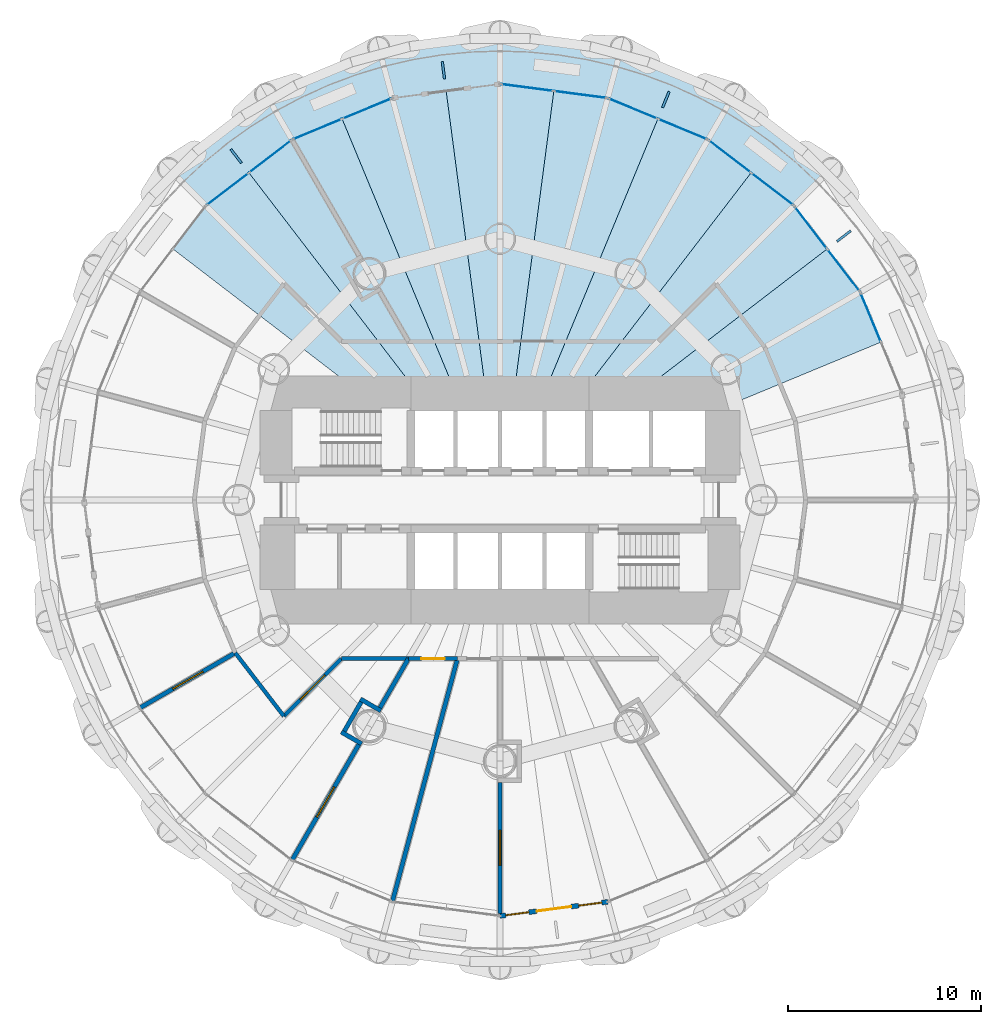
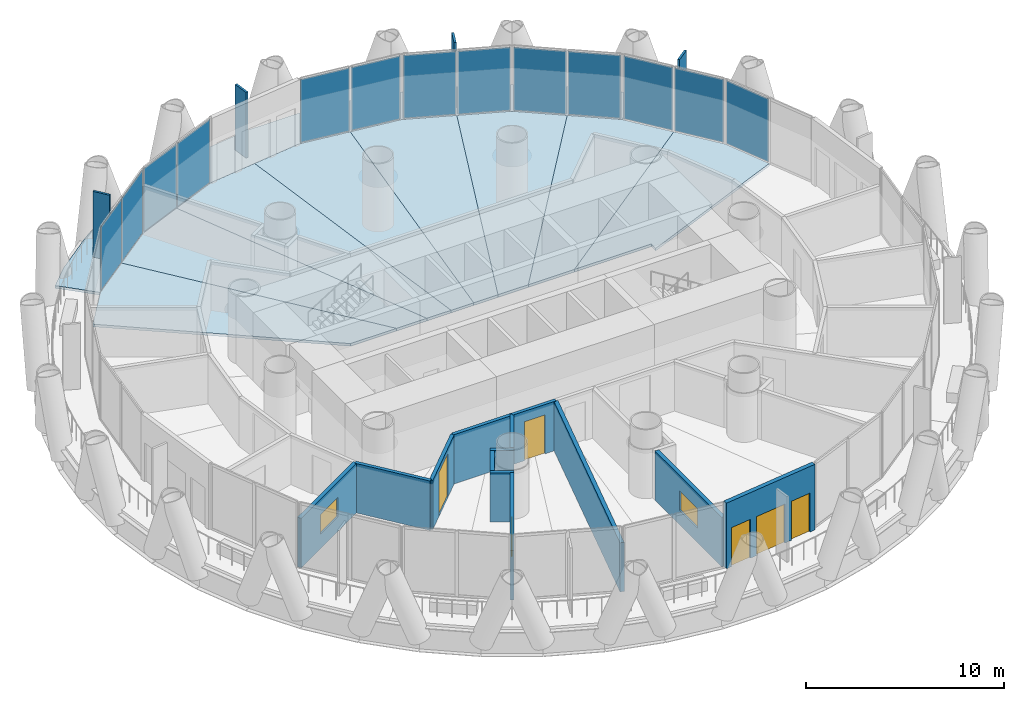
# One storey, part 9 of 16: 17 plates, 13 walls, 9 slabs, 5 windows, 3 doors, 8 openings, 7 elements without a shape of their own.
"""IFC4 building model written with IfcOpenShell, lengths in metres."""

import ifcopenshell
import ifcopenshell.guid

model = None  # the IFC model being written
_history = None  # IfcOwnerHistory: only IFC2X3 demands one
_inside = {}  # id of a spatial element -> (the spatial element, [elements in it])
_under = {}  # id of a project, library or spatial element -> (it, [spatial elements below it])
_declared = {}  # id of a project -> (the project, [libraries it declares])
_typed = {}  # id of a type object -> (the type object, [elements of that type])
_made_of = {}  # id of a material, layer set ... -> (it, [elements and type objects made of it])


def new_model(schema):
    """Start an empty IFC model of exactly this schema.

    Asked for "IFC4X3", IfcOpenShell would pick the latest addendum, in which some entities
    have other attributes; the version numbers below select the first issue.
    IFC2X3 requires an IfcOwnerHistory on every rooted entity: one is made here for all.
    """
    global model, _history
    if schema == "IFC4X3":
        model = ifcopenshell.file(schema_version=(4, 3, 0, 0))
    else:
        model = ifcopenshell.file(schema=schema)
    _inside.clear()
    _under.clear()
    _declared.clear()
    _typed.clear()
    _made_of.clear()
    _history = None
    if model.schema == "IFC2X3":
        org = make("IfcOrganization", Name="unknown")
        user = make(
            "IfcPersonAndOrganization",
            ThePerson=make("IfcPerson", FamilyName="unknown"),
            TheOrganization=org,
        )
        app = make(
            "IfcApplication",
            ApplicationDeveloper=org,
            Version="unknown",
            ApplicationFullName="unknown",
            ApplicationIdentifier="unknown",
        )
        _history = make(
            "IfcOwnerHistory",
            OwningUser=user,
            OwningApplication=app,
            ChangeAction="ADDED",
            CreationDate=0,
        )
    return model


def make(cls, **values):
    """One entity of the class cls with the attributes given. An attribute that is None is left unset."""
    return model.create_entity(
        cls, **{name: value for name, value in values.items() if value is not None}
    )


def rooted(cls, **values):
    """An entity with a GlobalId (a new one), such as an element, a storey or a relation."""
    return make(cls, GlobalId=ifcopenshell.guid.new(), OwnerHistory=_history, **values)


def si_unit(unit_type, name, prefix=None):
    """IfcSIUnit, for example si_unit("LENGTHUNIT", "METRE", prefix="MILLI")."""
    return make("IfcSIUnit", UnitType=unit_type, Prefix=prefix, Name=name)


def assignment(units):
    """IfcUnitAssignment: the units of a project."""
    return None if units is None else make("IfcUnitAssignment", Units=units)


def point(xyz):
    """IfcCartesianPoint."""
    return None if xyz is None else make("IfcCartesianPoint", Coordinates=xyz)


def direction(xyz):
    """IfcDirection."""
    return None if xyz is None else make("IfcDirection", DirectionRatios=xyz)


def frame(location, z_axis=None, x_axis=None):
    """IfcAxis2Placement3D, a coordinate frame: its origin and axes. An axis left out is left unset."""
    return make(
        "IfcAxis2Placement3D",
        Location=point(location),
        Axis=direction(z_axis),
        RefDirection=direction(x_axis),
    )


def frame_2d(location, x_axis=None):
    """IfcAxis2Placement2D, a coordinate frame in the plane: its origin and x axis."""
    return make(
        "IfcAxis2Placement2D", Location=point(location), RefDirection=direction(x_axis)
    )


def origin():
    """The frame at (0, 0, 0) with its axes left unset."""
    return frame((0.0, 0.0, 0.0))


def origin_2d():
    """The frame at (0, 0) in the plane with its x axis left unset."""
    return frame_2d((0.0, 0.0))


def place(relative_to, where):
    """IfcLocalPlacement: puts the frame where relative to a parent placement (None: the world)."""
    return make(
        "IfcLocalPlacement", PlacementRelTo=relative_to, RelativePlacement=where
    )


def context(
    kind, dimensions, precision=None, world=None, true_north=None, identifier=None
):
    """IfcGeometricRepresentationContext, for example the 3D "Model" context."""
    return make(
        "IfcGeometricRepresentationContext",
        ContextIdentifier=identifier,
        ContextType=kind,
        CoordinateSpaceDimension=dimensions,
        Precision=precision,
        WorldCoordinateSystem=world,
        TrueNorth=true_north,
    )


def subcontext(parent, identifier, kind, view, scale=None):
    """IfcGeometricRepresentationSubContext, for example "Body" below "Model"."""
    return make(
        "IfcGeometricRepresentationSubContext",
        ContextIdentifier=identifier,
        ContextType=kind,
        ParentContext=parent,
        TargetScale=scale,
        TargetView=view,
    )


def project(units=None, contexts=None):
    """IfcProject with its units and contexts."""
    return rooted(
        "IfcProject",
        Name="project",
        RepresentationContexts=contexts,
        UnitsInContext=assignment(units),
    )


def spatial(cls, under=None, at=None, **own):
    """A site, building, storey or space (cls), placed at a placement, below another one or the project."""
    s = rooted(cls, ObjectPlacement=at, **own)
    if under is not None:
        _under.setdefault(under.id(), (under, []))[1].append(s)
    return s


def polyline(points):
    """IfcPolyline through the points."""
    return make("IfcPolyline", Points=[point(p) for p in points])


def profile(cls, at=None, kind="AREA", **sizes):
    """A parametric profile (cls). Its sizes go by their IFC names, for example OverallWidth=200.0."""
    return make(cls, ProfileType=kind, Position=at, **sizes)


def rectangle(**sizes):
    """IfcRectangleProfileDef."""
    return profile("IfcRectangleProfileDef", **sizes)


def outline(outer, holes=None, kind="AREA"):
    """IfcArbitraryClosedProfileDef: a profile drawn as a closed curve; with holes, ...WithVoids."""
    if holes is None:
        return make("IfcArbitraryClosedProfileDef", ProfileType=kind, OuterCurve=outer)
    return make(
        "IfcArbitraryProfileDefWithVoids",
        ProfileType=kind,
        OuterCurve=outer,
        InnerCurves=holes,
    )


def extrude(swept, where, along, depth):
    """IfcExtrudedAreaSolid: the profile swept, set in the frame where, extruded along a direction by depth."""
    return make(
        "IfcExtrudedAreaSolid",
        SweptArea=swept,
        Position=where,
        ExtrudedDirection=direction(along),
        Depth=depth,
    )


def shape(context_of_items, identifier, shape_type, items):
    """IfcShapeRepresentation: the items that make up one representation, for example the "Body"."""
    return make(
        "IfcShapeRepresentation",
        ContextOfItems=context_of_items,
        RepresentationIdentifier=identifier,
        RepresentationType=shape_type,
        Items=items,
    )


def material(Name=None, Category=None):
    """IfcMaterial."""
    return make("IfcMaterial", Name=Name, Category=Category)


def layer(
    of_material, thickness, ventilated=None, Name=None, Category=None, Priority=None
):
    """IfcMaterialLayer: one layer of a wall or slab, of a material (None: an air gap)."""
    return make(
        "IfcMaterialLayer",
        Material=of_material,
        LayerThickness=thickness,
        IsVentilated=ventilated,
        Name=Name,
        Category=Category,
        Priority=Priority,
    )


def layer_set(layers, Name=None):
    """IfcMaterialLayerSet."""
    return make("IfcMaterialLayerSet", MaterialLayers=layers, LayerSetName=Name)


def made_of(thing, what):
    """Note that an element or type object is made of a material, layer set ...; save() writes the relation."""
    if what is not None:
        _made_of.setdefault(what.id(), (what, []))[1].append(thing)
    return thing


def type_object(cls, material=None, **own):
    """A type object (cls), such as IfcWallType, which elements share."""
    return made_of(rooted(cls, **own), material)


def element(
    cls,
    number,
    at=None,
    inside=None,
    cuts=None,
    type_object=None,
    material=None,
    context=None,
    identifier="Body",
    shape_type=None,
    held_by="IfcProductDefinitionShape",
    body=None,
    shapes=None,
    **own,
):
    """One element of the class cls, such as IfcWall. Its Tag is "e" and its number.

    at: its placement. inside: the storey or other place that contains it. cuts: it is an
    opening in that element (IfcRelVoidsElement). A single representation is given by context,
    identifier, shape_type and body (its items); several are given by shapes. held_by: the class
    of the entity that holds the representations. save() writes the other relations.
    """
    e = rooted(cls, Tag="e%d" % number, ObjectPlacement=at, **own)
    if body is not None:
        shapes = [shape(context, identifier, shape_type, body)]
    if shapes is not None:
        e.Representation = make(held_by, Representations=shapes)
    if inside is not None:
        _inside.setdefault(inside.id(), (inside, []))[1].append(e)
    if cuts is not None:
        rooted(
            "IfcRelVoidsElement", RelatingBuildingElement=cuts, RelatedOpeningElement=e
        )
    if type_object is not None:
        _typed.setdefault(type_object.id(), (type_object, []))[1].append(e)
    return made_of(e, material)


def fill(opening, filler):
    """IfcRelFillsElement: the door or window that sits in an opening."""
    return rooted(
        "IfcRelFillsElement",
        RelatingOpeningElement=opening,
        RelatedBuildingElement=filler,
    )


def aggregate(whole, parts):
    """IfcRelAggregates: a whole, such as a stair, and the parts it consists of."""
    return rooted("IfcRelAggregates", RelatingObject=whole, RelatedObjects=parts)


def save(model, path):
    """Write the relations noted so far, then the file.

    IfcRelAggregates (storeys below a building ...), IfcRelContainedInSpatialStructure (elements
    in a storey), IfcRelDefinesByType, IfcRelAssociatesMaterial and IfcRelDeclares: one each for
    every whole, place, type object, material and project.
    """
    for whole, parts in _under.values():
        aggregate(whole, parts)
    for where, things in _inside.values():
        rooted(
            "IfcRelContainedInSpatialStructure",
            RelatedElements=things,
            RelatingStructure=where,
        )
    for kind, things in _typed.values():
        rooted("IfcRelDefinesByType", RelatedObjects=things, RelatingType=kind)
    for what, things in _made_of.values():
        rooted("IfcRelAssociatesMaterial", RelatedObjects=things, RelatingMaterial=what)
    for by, libraries in _declared.values():
        rooted("IfcRelDeclares", RelatingContext=by, RelatedDefinitions=libraries)
    model.write(path)


model = new_model("IFC4")

# Units and contexts
model_context = context("Model", 3, precision=1e-05, world=origin(), true_north=direction((0.0, 1.0)))
body_context = subcontext(model_context, "Body", "Model", "MODEL_VIEW")
ifc_project = project(units=[si_unit("LENGTHUNIT", "METRE"), si_unit("AREAUNIT", "SQUARE_METRE"), si_unit("VOLUMEUNIT", "CUBIC_METRE"), si_unit("PLANEANGLEUNIT", "RADIAN"), si_unit("MASSUNIT", "GRAM", prefix="KILO")], contexts=[model_context])

# Site, building, storey
site_placement = place(None, origin())
site = spatial("IfcSite", under=ifc_project, at=site_placement, CompositionType="ELEMENT")
building_placement = place(site_placement, origin())
building = spatial("IfcBuilding", under=site, at=building_placement, Name="Qaws Media Tower", CompositionType="ELEMENT")
storey_placement = place(building_placement, frame((0.0, 0.0, 38.60009765625)))
storey = spatial("IfcBuildingStorey", under=building, at=storey_placement, Name="L07", CompositionType="ELEMENT", Elevation=38.60009765625)

# Slabs
ifc_material_1 = material(Name="Concrete C35/45", Category="concrete")
ifc_layer_1 = layer(ifc_material_1, 0.159912109375)
ifc_layer_set_1 = layer_set([ifc_layer_1], Name="Composite balcony slab 160")
slab_type_1 = type_object("IfcSlabType", Name="Composite balcony slab 160", PredefinedType="FLOOR", material=ifc_layer_set_1)
slab_1_placement = place(storey_placement, frame((0.0, 0.0, -0.16015625)))
element("IfcSlab", 1, at=slab_1_placement, inside=storey, type_object=slab_type_1, Name="S2 balcony slab L07 R04 to R10, movement joints on R04 and R10", PredefinedType="FLOOR", context=body_context, shape_type="SweptSolid", body=[
    extrude(outline(polyline([(44.24169921875, 67.968994140625), (46.721923828125, 69.8720703125), (49.42919921875, 71.435302734375), (52.317626953125, 72.631591796875), (55.33740234375, 73.44091796875), (58.43701171875, 73.848876953125), (61.56298828125, 73.848876953125), (64.66259765625, 73.44091796875), (67.682373046875, 72.631591796875), (70.57080078125, 71.435302734375), (73.278076171875, 69.8720703125), (75.75830078125, 67.968994140625), (76.86376953125, 66.86376953125), (75.202880859375, 65.202880859375), (70.75, 68.619384765625), (65.564697265625, 70.767333984375), (60.0, 71.5), (54.435302734375, 70.767333984375), (49.25, 68.619384765625), (44.797119140625, 65.202880859375), (43.13623046875, 66.86376953125), (44.24169921875, 67.968994140625)])), origin(), (0.0, 0.0, 1.0), 0.16015625),
])
ifc_material_2 = material(Name="Concrete C35/45", Category="concrete")
ifc_layer_2 = layer(ifc_material_2, 0.159912109375)
ifc_layer_set_2 = layer_set([ifc_layer_2], Name="Composite floor slab 160")
slab_type_2 = type_object("IfcSlabType", Name="Composite floor slab 160", PredefinedType="FLOOR", material=ifc_layer_set_2)
slab_2_placement = place(storey_placement, frame((0.0, 0.0, -0.16015625)))
element("IfcSlab", 2, at=slab_2_placement, inside=storey, type_object=slab_type_2, Name="S1 floor panel L07 on R03", PredefinedType="FLOOR", context=body_context, shape_type="SweptSolid", body=[
    extrude(outline(polyline([(78.619384765625, 60.75), (79.693603515625, 58.1572265625), (71.0, 54.556396484375), (71.0, 55.0), (66.51611328125, 55.0), (76.9111328125, 62.976318359375), (78.619384765625, 60.75)])), origin(), (0.0, 0.0, 1.0), 0.16015625),
])
slab_3_placement = place(storey_placement, frame((0.0, 0.0, -0.16015625)))
element("IfcSlab", 3, at=slab_3_placement, inside=storey, type_object=slab_type_2, Name="S1 floor panel L07 on R04", PredefinedType="FLOOR", context=body_context, shape_type="SweptSolid", body=[
    extrude(outline(polyline([(75.202880859375, 65.202880859375), (76.9111328125, 62.976318359375), (66.51611328125, 55.0), (63.836669921875, 55.0), (72.976318359375, 66.9111328125), (75.202880859375, 65.202880859375)])), origin(), (0.0, 0.0, 1.0), 0.16015625),
])
slab_4_placement = place(storey_placement, frame((0.0, 0.0, -0.16015625)))
element("IfcSlab", 4, at=slab_4_placement, inside=storey, type_object=slab_type_2, Name="S1 floor panel L07 on R05", PredefinedType="FLOOR", context=body_context, shape_type="SweptSolid", body=[
    extrude(outline(polyline([(70.75, 68.619384765625), (72.976318359375, 66.9111328125), (63.836669921875, 55.0), (62.071044921875, 55.0), (68.1572265625, 69.693603515625), (70.75, 68.619384765625)])), origin(), (0.0, 0.0, 1.0), 0.16015625),
])
slab_5_placement = place(storey_placement, frame((0.0, 0.0, -0.16015625)))
element("IfcSlab", 5, at=slab_5_placement, inside=storey, type_object=slab_type_2, Name="S1 floor panel L07 on R06", PredefinedType="FLOOR", context=body_context, shape_type="SweptSolid", body=[
    extrude(outline(polyline([(65.564697265625, 70.767333984375), (68.1572265625, 69.693603515625), (62.071044921875, 55.0), (60.658203125, 55.0), (62.7822265625, 71.1337890625), (65.564697265625, 70.767333984375)])), origin(), (0.0, 0.0, 1.0), 0.16015625),
])
slab_6_placement = place(storey_placement, frame((0.0, 0.0, -0.16015625)))
element("IfcSlab", 6, at=slab_6_placement, inside=storey, type_object=slab_type_2, Name="S1 floor panel L07 on R07", PredefinedType="FLOOR", context=body_context, shape_type="SweptSolid", body=[
    extrude(outline(polyline([(60.0, 71.5), (62.7822265625, 71.1337890625), (60.658203125, 55.0), (59.341796875, 55.0), (57.2177734375, 71.1337890625), (60.0, 71.5)])), origin(), (0.0, 0.0, 1.0), 0.16015625),
])
slab_7_placement = place(storey_placement, frame((0.0, 0.0, -0.16015625)))
element("IfcSlab", 7, at=slab_7_placement, inside=storey, type_object=slab_type_2, Name="S1 floor panel L07 on R08", PredefinedType="FLOOR", context=body_context, shape_type="SweptSolid", body=[
    extrude(outline(polyline([(54.435302734375, 70.767333984375), (57.2177734375, 71.1337890625), (59.341796875, 55.0), (57.928955078125, 55.0), (51.8427734375, 69.693603515625), (54.435302734375, 70.767333984375)])), origin(), (0.0, 0.0, 1.0), 0.16015625),
])
slab_8_placement = place(storey_placement, frame((0.0, 0.0, -0.16015625)))
element("IfcSlab", 8, at=slab_8_placement, inside=storey, type_object=slab_type_2, Name="S1 floor panel L07 on R09", PredefinedType="FLOOR", context=body_context, shape_type="SweptSolid", body=[
    extrude(outline(polyline([(49.25, 68.619384765625), (51.8427734375, 69.693603515625), (57.928955078125, 55.0), (56.163330078125, 55.0), (47.023681640625, 66.9111328125), (49.25, 68.619384765625)])), origin(), (0.0, 0.0, 1.0), 0.16015625),
])
slab_9_placement = place(storey_placement, frame((0.0, 0.0, -0.16015625)))
element("IfcSlab", 9, at=slab_9_placement, inside=storey, type_object=slab_type_2, Name="S1 floor panel L07 on R10", PredefinedType="FLOOR", context=body_context, shape_type="SweptSolid", body=[
    extrude(outline(polyline([(44.797119140625, 65.202880859375), (47.023681640625, 66.9111328125), (56.163330078125, 55.0), (53.48388671875, 55.0), (43.0888671875, 62.976318359375), (44.797119140625, 65.202880859375)])), origin(), (0.0, 0.0, 1.0), 0.16015625),
])

# Curtain wall, plate
ifc_material_3 = material(Name="Aluminium and clear glass", Category="aluminium")
curtain_wall_type = type_object("IfcCurtainWallType", Name="Unitised curtain wall CW-A", PredefinedType="NOTDEFINED", material=ifc_material_3)
curtain_wall_1_placement = place(storey_placement, origin())
curtain_wall_1 = element("IfcCurtainWall", 10, at=curtain_wall_1_placement, inside=storey, type_object=curtain_wall_type, Name="CWA curtain wall L07-02", PredefinedType="NOTDEFINED")
ifc_material_4 = material(Name="Clear laminated double glazing", Category="glass")
ifc_layer_3 = layer(ifc_material_4, 0.031982421875)
ifc_layer_set_3 = layer_set([ifc_layer_3], Name="Curtain wall glass unit 32")
plate_type_1 = type_object("IfcPlateType", Name="Curtain wall glass unit 32", PredefinedType="CURTAIN_PANEL", material=ifc_layer_set_3)
plate_1_placement = place(storey_placement, frame((79.1640625, 59.43505859375, 0.080078125), z_axis=(0.0, 0.0, 1.0), x_axis=(-0.382683390022, 0.923879550051, 0.0)))
plate_1 = element("IfcPlate", 11, at=plate_1_placement, type_object=plate_type_1, Name="CWA panel 2.1", PredefinedType="CURTAIN_PANEL", context=body_context, shape_type="SweptSolid", body=[
    extrude(rectangle(XDim=2.686279296875, YDim=0.031982421875, at=origin_2d()), origin(), (0.0, 0.0, 1.0), 3.8798828125),
])
aggregate(curtain_wall_1, [plate_1])

# Curtain wall, plates
curtain_wall_2_placement = place(storey_placement, origin())
curtain_wall_2 = element("IfcCurtainWall", 12, at=curtain_wall_2_placement, inside=storey, type_object=curtain_wall_type, Name="CWA curtain wall L07-03", PredefinedType="NOTDEFINED")
plate_2_placement = place(storey_placement, frame((77.753173828125, 61.879150390625, 0.080078125), z_axis=(0.0, 0.0, 1.0), x_axis=(-0.608761368139, 0.793353386998, 0.0)))
plate_2 = element("IfcPlate", 13, at=plate_2_placement, type_object=plate_type_1, Name="CWA panel 1.1", PredefinedType="CURTAIN_PANEL", context=body_context, shape_type="SweptSolid", body=[
    extrude(rectangle(XDim=2.686279296875, YDim=0.031982421875, at=origin_2d()), origin(), (0.0, 0.0, 1.0), 3.8798828125),
])
plate_3_placement = place(storey_placement, frame((76.069091796875, 64.07373046875, 0.080078125), z_axis=(0.0, 0.0, 1.0), x_axis=(-0.608761368139, 0.793353386998, 0.0)))
plate_3 = element("IfcPlate", 14, at=plate_3_placement, type_object=plate_type_1, Name="CWA panel 2.1", PredefinedType="CURTAIN_PANEL", context=body_context, shape_type="SweptSolid", body=[
    extrude(rectangle(XDim=2.686279296875, YDim=0.031982421875, at=origin_2d()), origin(), (0.0, 0.0, 1.0), 3.8798828125),
])
aggregate(curtain_wall_2, [plate_2, plate_3])

curtain_wall_3_placement = place(storey_placement, origin())
curtain_wall_3 = element("IfcCurtainWall", 15, at=curtain_wall_3_placement, inside=storey, type_object=curtain_wall_type, Name="CWA curtain wall L07-04", PredefinedType="NOTDEFINED")
plate_4_placement = place(storey_placement, frame((74.07373046875, 66.069091796875, 0.080078125), z_axis=(0.0, 0.0, 1.0), x_axis=(-0.793353386998, 0.608761368139, 0.0)))
plate_4 = element("IfcPlate", 16, at=plate_4_placement, type_object=plate_type_1, Name="CWA panel 1.1", PredefinedType="CURTAIN_PANEL", context=body_context, shape_type="SweptSolid", body=[
    extrude(rectangle(XDim=2.686279296875, YDim=0.031982421875, at=origin_2d()), origin(), (0.0, 0.0, 1.0), 3.8798828125),
])
plate_5_placement = place(storey_placement, frame((71.879150390625, 67.753173828125, 0.080078125), z_axis=(0.0, 0.0, 1.0), x_axis=(-0.793353386998, 0.608761368139, 0.0)))
plate_5 = element("IfcPlate", 17, at=plate_5_placement, type_object=plate_type_1, Name="CWA panel 2.1", PredefinedType="CURTAIN_PANEL", context=body_context, shape_type="SweptSolid", body=[
    extrude(rectangle(XDim=2.686279296875, YDim=0.031982421875, at=origin_2d()), origin(), (0.0, 0.0, 1.0), 3.8798828125),
])
aggregate(curtain_wall_3, [plate_4, plate_5])

curtain_wall_4_placement = place(storey_placement, origin())
curtain_wall_4 = element("IfcCurtainWall", 18, at=curtain_wall_4_placement, inside=storey, type_object=curtain_wall_type, Name="CWA curtain wall L07-05", PredefinedType="NOTDEFINED")
plate_6_placement = place(storey_placement, frame((69.43505859375, 69.1640625, 0.080078125), z_axis=(0.0, 0.0, 1.0), x_axis=(-0.923879550051, 0.382683390022, 0.0)))
plate_6 = element("IfcPlate", 19, at=plate_6_placement, type_object=plate_type_1, Name="CWA panel 1.1", PredefinedType="CURTAIN_PANEL", context=body_context, shape_type="SweptSolid", body=[
    extrude(rectangle(XDim=2.686279296875, YDim=0.031982421875, at=origin_2d()), origin(), (0.0, 0.0, 1.0), 3.8798828125),
])
plate_7_placement = place(storey_placement, frame((66.87939453125, 70.222900390625, 0.080078125), z_axis=(0.0, 0.0, 1.0), x_axis=(-0.923879550051, 0.382683390022, 0.0)))
plate_7 = element("IfcPlate", 20, at=plate_7_placement, type_object=plate_type_1, Name="CWA panel 2.1", PredefinedType="CURTAIN_PANEL", context=body_context, shape_type="SweptSolid", body=[
    extrude(rectangle(XDim=2.686279296875, YDim=0.031982421875, at=origin_2d()), origin(), (0.0, 0.0, 1.0), 3.8798828125),
])
aggregate(curtain_wall_4, [plate_6, plate_7])

curtain_wall_5_placement = place(storey_placement, origin())
curtain_wall_5 = element("IfcCurtainWall", 21, at=curtain_wall_5_placement, inside=storey, type_object=curtain_wall_type, Name="CWA curtain wall L07-06", PredefinedType="NOTDEFINED")
plate_8_placement = place(storey_placement, frame((64.153564453125, 70.953125, 0.080078125), z_axis=(0.0, 0.0, 1.0), x_axis=(-0.991444853833, 0.130526249496, 0.0)))
plate_8 = element("IfcPlate", 22, at=plate_8_placement, type_object=plate_type_1, Name="CWA panel 1.1", PredefinedType="CURTAIN_PANEL", context=body_context, shape_type="SweptSolid", body=[
    extrude(rectangle(XDim=2.686279296875, YDim=0.031982421875, at=origin_2d()), origin(), (0.0, 0.0, 1.0), 3.8798828125),
])
plate_9_placement = place(storey_placement, frame((61.410888671875, 71.314208984375, 0.080078125), z_axis=(0.0, 0.0, 1.0), x_axis=(-0.991444853833, 0.130526249496, 0.0)))
plate_9 = element("IfcPlate", 23, at=plate_9_placement, type_object=plate_type_1, Name="CWA panel 2.1", PredefinedType="CURTAIN_PANEL", context=body_context, shape_type="SweptSolid", body=[
    extrude(rectangle(XDim=2.686279296875, YDim=0.031982421875, at=origin_2d()), origin(), (0.0, 0.0, 1.0), 3.8798828125),
])
aggregate(curtain_wall_5, [plate_8, plate_9])

curtain_wall_6_placement = place(storey_placement, origin())
curtain_wall_6 = element("IfcCurtainWall", 24, at=curtain_wall_6_placement, inside=storey, type_object=curtain_wall_type, Name="CWA curtain wall L07-08", PredefinedType="NOTDEFINED")
plate_10_placement = place(storey_placement, frame((53.12060546875, 70.222900390625, 0.080078125), z_axis=(0.0, 0.0, 1.0), x_axis=(-0.923879550051, -0.382683390022, 0.0)))
plate_10 = element("IfcPlate", 25, at=plate_10_placement, type_object=plate_type_1, Name="CWA panel 1.1", PredefinedType="CURTAIN_PANEL", context=body_context, shape_type="SweptSolid", body=[
    extrude(rectangle(XDim=2.686279296875, YDim=0.031982421875, at=origin_2d()), origin(), (0.0, 0.0, 1.0), 3.8798828125),
])
plate_11_placement = place(storey_placement, frame((50.56494140625, 69.1640625, 0.080078125), z_axis=(0.0, 0.0, 1.0), x_axis=(-0.923879550051, -0.382683390022, 0.0)))
plate_11 = element("IfcPlate", 26, at=plate_11_placement, type_object=plate_type_1, Name="CWA panel 2.1", PredefinedType="CURTAIN_PANEL", context=body_context, shape_type="SweptSolid", body=[
    extrude(rectangle(XDim=2.686279296875, YDim=0.031982421875, at=origin_2d()), origin(), (0.0, 0.0, 1.0), 3.8798828125),
])
aggregate(curtain_wall_6, [plate_10, plate_11])

curtain_wall_7_placement = place(storey_placement, origin())
curtain_wall_7 = element("IfcCurtainWall", 27, at=curtain_wall_7_placement, inside=storey, type_object=curtain_wall_type, Name="CWA curtain wall L07-09", PredefinedType="NOTDEFINED")
plate_12_placement = place(storey_placement, frame((48.120849609375, 67.753173828125, 0.080078125), z_axis=(0.0, 0.0, 1.0), x_axis=(-0.793353386998, -0.608761368139, 0.0)))
plate_12 = element("IfcPlate", 28, at=plate_12_placement, type_object=plate_type_1, Name="CWA panel 1.1", PredefinedType="CURTAIN_PANEL", context=body_context, shape_type="SweptSolid", body=[
    extrude(rectangle(XDim=2.686279296875, YDim=0.031982421875, at=origin_2d()), origin(), (0.0, 0.0, 1.0), 3.8798828125),
])
plate_13_placement = place(storey_placement, frame((45.92626953125, 66.069091796875, 0.080078125), z_axis=(0.0, 0.0, 1.0), x_axis=(-0.793353386998, -0.608761368139, 0.0)))
plate_13 = element("IfcPlate", 29, at=plate_13_placement, type_object=plate_type_1, Name="CWA panel 2.1", PredefinedType="CURTAIN_PANEL", context=body_context, shape_type="SweptSolid", body=[
    extrude(rectangle(XDim=2.686279296875, YDim=0.031982421875, at=origin_2d()), origin(), (0.0, 0.0, 1.0), 3.8798828125),
])
aggregate(curtain_wall_7, [plate_12, plate_13])

# Plates
ifc_material_5 = material(Name="Precast concrete screen fin", Category="concrete")
ifc_layer_4 = layer(ifc_material_5, 0.1201171875)
ifc_layer_set_4 = layer_set([ifc_layer_4], Name="Screen fin 120x900")
plate_type_2 = type_object("IfcPlateType", Name="Screen fin 120x900", PredefinedType="USERDEFINED", material=ifc_layer_set_4)
for number, where, z_axis, x_axis, name in (
    (30, (77.77099609375, 63.63623046875, 0.0), (0.0, 0.0, 1.0), (0.793353340291, 0.608761429009, 0.0), "SCR1 screen fin L07-02"),
    (31, (68.572021484375, 70.69482421875, 0.0), (0.0, 0.0, 1.0), (0.382683432365, 0.923879532511, 0.0), "SCR1 screen fin L07-03"),
    (32, (57.076171875, 72.208251953125, 0.0), (0.0, 0.0, 1.0), (-0.13052619222, 0.991444861374, 0.0), "SCR1 screen fin L07-04"),
    (33, (46.36376953125, 67.77099609375, 0.0), (0.0, 0.0, 1.0), (-0.608761429009, 0.793353340291, 0.0), "SCR1 screen fin L07-05"),
):
    element("IfcPlate", number, at=place(storey_placement, frame(where, z_axis=z_axis, x_axis=x_axis)), inside=storey, type_object=plate_type_2, Name=name, ObjectType="SCREEN", PredefinedType="USERDEFINED", context=body_context, shape_type="SweptSolid", body=[
        extrude(rectangle(XDim=0.89990234375, YDim=0.1201171875, at=origin_2d()), origin(), (0.0, 0.0, 1.0), 4.0400390625),
    ])

# Wall, opening, window
ifc_material_6 = material(Name="Twin metal stud frames, two layers gypsum board each side, insulated, Rw 55", Category="gypsum")
ifc_layer_5 = layer(ifc_material_6, 0.22509765625)
ifc_layer_set_5 = layer_set([ifc_layer_5], Name="Acoustic twin-stud partition 225 Rw 55")
wall_type_1 = type_object("IfcWallType", Name="Acoustic twin-stud partition 225 Rw 55", PredefinedType="PARTITIONING", material=ifc_layer_set_5)
wall_1_placement = place(storey_placement, frame((46.31689453125, 42.10009765625, 0.0), z_axis=(0.0, 0.0, 1.0), x_axis=(-0.86602612668, -0.499998747907, 0.0)))
wall_1 = element("IfcWall", 34, at=wall_1_placement, inside=storey, type_object=wall_type_1, Name="W035 IW6 partition L07", PredefinedType="PARTITIONING", context=body_context, shape_type="SweptSolid", body=[
    extrude(rectangle(XDim=5.66015625, YDim=0.22509765625, at=frame_2d((2.830078125, 0.0))), origin(), (0.0, 0.0, 1.0), 3.039794921875),
])
opening_1_placement = place(wall_1_placement, frame((1.929931640625, 0.0, 0.89990234375)))
opening_1 = element("IfcOpeningElement", 35, at=opening_1_placement, cuts=wall_1, Name="Opening W8", PredefinedType="OPENING", context=body_context, shape_type="SweptSolid", body=[
    extrude(rectangle(XDim=1.800048828125, YDim=1.199951171875, at=frame_2d((0.89990234375, 0.60009765625))), frame((0.0, 0.12255859375, 0.0), z_axis=(0.0, -1.0, 0.0), x_axis=(1.0, 0.0, 0.0)), (0.0, 0.0, 1.0), 0.2451171875),
])
ifc_material_7 = material(Name="Laminated acoustic double glazing, Rw 50, in steel frame", Category="steel")
window_type_1 = type_object("IfcWindowType", Name="Control room observation window 1800x1200", PartitioningType="SINGLE_PANEL", PredefinedType="WINDOW", material=ifc_material_7)
window_1_placement = place(opening_1_placement, origin())
window_1 = element("IfcWindow", 36, at=window_1_placement, inside=storey, type_object=window_type_1, Name="W8 control room observation window L07", OverallHeight=1.199951171875, OverallWidth=1.800048828125, PartitioningType="SINGLE_PANEL", PredefinedType="WINDOW", context=body_context, shape_type="SweptSolid", body=[
    extrude(rectangle(XDim=1.800048828125, YDim=1.199951171875, at=frame_2d((0.89990234375, 0.60009765625))), frame((0.0, 0.030029296875, 0.0), z_axis=(0.0, -1.0, 0.0), x_axis=(1.0, 0.0, 0.0)), (0.0, 0.0, 1.0), 0.06005859375),
])
fill(opening_1, window_1)

# Walls
wall_2_placement = place(storey_placement, frame((53.840087890625, 39.10595703125, 0.0), z_axis=(0.0, 0.0, 1.0), x_axis=(-0.866055662726, 0.499947586314, 0.0)))
element("IfcWall", 37, at=wall_2_placement, inside=storey, type_object=wall_type_1, Name="W008 IW6 partition return L07", PredefinedType="PARTITIONING", context=body_context, shape_type="SweptSolid", body=[
    extrude(rectangle(XDim=1.220458984375, YDim=0.22509765625, at=frame_2d((0.6103515625, 0.0))), origin(), (0.0, 0.0, 1.0), 3.02001953125),
])
wall_3_placement = place(storey_placement, frame((52.854736328125, 37.39892578125, 0.0), z_axis=(0.0, 0.0, 1.0), x_axis=(-0.866019052629, 0.500011000363, 0.0)))
element("IfcWall", 38, at=wall_3_placement, inside=storey, type_object=wall_type_1, Name="W007 IW6 partition return L07", PredefinedType="PARTITIONING", context=body_context, shape_type="SweptSolid", body=[
    extrude(rectangle(XDim=1.220703125, YDim=0.22509765625, at=frame_2d((0.6103515625, 0.0))), origin(), (0.0, 0.0, 1.0), 3.02001953125),
])
wall_4_placement = place(storey_placement, frame((52.824462890625, 39.5625, 0.0), z_axis=(0.0, 0.0, 1.0), x_axis=(-0.499988720078, -0.866031916153, 0.0)))
element("IfcWall", 39, at=wall_4_placement, inside=storey, type_object=wall_type_1, Name="W006 IW6 partition return L07", PredefinedType="PARTITIONING", context=body_context, shape_type="SweptSolid", body=[
    extrude(rectangle(XDim=1.74609375, YDim=0.22509765625, at=frame_2d((0.873046875, 0.0))), origin(), (0.0, 0.0, 1.0), 3.02001953125),
])
wall_5_placement = place(storey_placement, frame((55.27001953125, 41.807373046875, 0.0), z_axis=(0.0, 0.0, 1.0), x_axis=(-0.49998584623, -0.866033575313, 0.0)))
element("IfcWall", 40, at=wall_5_placement, inside=storey, type_object=wall_type_1, Name="W009 IW6 partition L07", PredefinedType="PARTITIONING", context=body_context, shape_type="SweptSolid", body=[
    extrude(rectangle(XDim=2.94189453125, YDim=0.22509765625, at=frame_2d((1.470947265625, 0.0))), origin(), (0.0, 0.0, 1.0), 3.039794921875),
])

# Wall, opening, window
wall_6_placement = place(storey_placement, frame((52.700927734375, 37.35791015625, 0.0), z_axis=(0.0, 0.0, 1.0), x_axis=(-0.499977045301, -0.866038656281, 0.0)))
wall_6 = element("IfcWall", 41, at=wall_6_placement, inside=storey, type_object=wall_type_1, Name="W037 IW6 partition L07", PredefinedType="PARTITIONING", context=body_context, shape_type="SweptSolid", body=[
    extrude(rectangle(XDim=6.862060546875, YDim=0.22509765625, at=frame_2d((3.43115234375, 0.0))), origin(), (0.0, 0.0, 1.0), 3.039794921875),
])
opening_2_placement = place(wall_6_placement, frame((2.531005859375, 0.0, 0.89990234375)))
opening_2 = element("IfcOpeningElement", 42, at=opening_2_placement, cuts=wall_6, Name="Opening W8", PredefinedType="OPENING", context=body_context, shape_type="SweptSolid", body=[
    extrude(rectangle(XDim=1.800048828125, YDim=1.199951171875, at=frame_2d((0.89990234375, 0.60009765625))), frame((0.0, 0.12255859375, 0.0), z_axis=(0.0, -1.0, 0.0), x_axis=(1.0, 0.0, 0.0)), (0.0, 0.0, 1.0), 0.2451171875),
])
window_2_placement = place(opening_2_placement, origin())
window_2 = element("IfcWindow", 43, at=window_2_placement, inside=storey, type_object=window_type_1, Name="W8 control room observation window L07", OverallHeight=1.199951171875, OverallWidth=1.800048828125, PartitioningType="SINGLE_PANEL", PredefinedType="WINDOW", context=body_context, shape_type="SweptSolid", body=[
    extrude(rectangle(XDim=1.800048828125, YDim=1.199951171875, at=frame_2d((0.89990234375, 0.60009765625))), frame((0.0, 0.030029296875, 0.0), z_axis=(0.0, -1.0, 0.0), x_axis=(1.0, 0.0, 0.0)), (0.0, 0.0, 1.0), 0.06005859375),
])
fill(opening_2, window_2)

# Wall
wall_7_placement = place(storey_placement, frame((57.80517578125, 41.808837890625, 0.0), z_axis=(0.0, 0.0, 1.0), x_axis=(-0.258814432673, -0.965927062174, 0.0)))
element("IfcWall", 44, at=wall_7_placement, inside=storey, type_object=wall_type_1, Name="W038 IW6 partition L07", PredefinedType="PARTITIONING", context=body_context, shape_type="SweptSolid", body=[
    extrude(rectangle(XDim=12.97998046875, YDim=0.22509765625, at=frame_2d((6.489990234375, 0.0))), origin(), (0.0, 0.0, 1.0), 3.02001953125),
])

# Wall, opening, window
wall_8_placement = place(storey_placement, frame((60.0, 35.402099609375, 0.0), z_axis=(0.0, 0.0, 1.0), x_axis=(0.0, -1.0, 0.0)))
wall_8 = element("IfcWall", 45, at=wall_8_placement, inside=storey, type_object=wall_type_1, Name="W039 IW6 partition L07", PredefinedType="PARTITIONING", context=body_context, shape_type="SweptSolid", body=[
    extrude(rectangle(XDim=6.76220703125, YDim=0.22509765625, at=frame_2d((3.381103515625, 0.0))), origin(), (0.0, 0.0, 1.0), 3.039794921875),
])
opening_3_placement = place(wall_8_placement, frame((2.48095703125, 0.0, 0.89990234375)))
opening_3 = element("IfcOpeningElement", 46, at=opening_3_placement, cuts=wall_8, Name="Opening W8", PredefinedType="OPENING", context=body_context, shape_type="SweptSolid", body=[
    extrude(rectangle(XDim=1.800048828125, YDim=1.199951171875, at=frame_2d((0.89990234375, 0.60009765625))), frame((0.0, 0.12255859375, 0.0), z_axis=(0.0, -1.0, 0.0), x_axis=(1.0, 0.0, 0.0)), (0.0, 0.0, 1.0), 0.2451171875),
])
window_3_placement = place(opening_3_placement, origin())
window_3 = element("IfcWindow", 47, at=window_3_placement, inside=storey, type_object=window_type_1, Name="W8 control room observation window L07", OverallHeight=1.199951171875, OverallWidth=1.800048828125, PartitioningType="SINGLE_PANEL", PredefinedType="WINDOW", context=body_context, shape_type="SweptSolid", body=[
    extrude(rectangle(XDim=1.800048828125, YDim=1.199951171875, at=frame_2d((0.89990234375, 0.60009765625))), frame((0.0, 0.030029296875, 0.0), z_axis=(0.0, -1.0, 0.0), x_axis=(1.0, 0.0, 0.0)), (0.0, 0.0, 1.0), 0.06005859375),
])
fill(opening_3, window_3)

# Wall, openings, door, windows
ifc_material_8 = material(Name="Precast concrete, exposed finish", Category="concrete")
ifc_layer_6 = layer(ifc_material_8, 0.25)
ifc_layer_set_6 = layer_set([ifc_layer_6], Name="Balcony door wall 250")
wall_type_2 = type_object("IfcWallType", Name="Balcony door wall 250", PredefinedType="SOLIDWALL", material=ifc_layer_set_6)
wall_9_placement = place(storey_placement, frame((60.0, 28.5, 0.0), z_axis=(0.0, 0.0, 1.0), x_axis=(0.991443484334, 0.130536651449, 0.0)))
wall_9 = element("IfcWall", 48, at=wall_9_placement, inside=storey, type_object=wall_type_2, Name="W118 EW1 balcony door wall L07-19", PredefinedType="SOLIDWALL", context=body_context, shape_type="SweptSolid", body=[
    extrude(rectangle(XDim=5.61279296875, YDim=0.25, at=frame_2d((2.806396484375, 0.0))), origin(), (0.0, 0.0, 1.0), 4.039794921875),
])
opening_4_placement = place(wall_9_placement, frame((1.90625, 0.0, 0.0)))
opening_4 = element("IfcOpeningElement", 49, at=opening_4_placement, cuts=wall_9, Name="Opening D7", PredefinedType="OPENING", context=body_context, shape_type="SweptSolid", body=[
    extrude(rectangle(XDim=1.800048828125, YDim=2.39990234375, at=frame_2d((0.89990234375, 1.199951171875))), frame((0.0, 0.135009765625, 0.0), z_axis=(0.0, -1.0, 0.0), x_axis=(1.0, 0.0, 0.0)), (0.0, 0.0, 1.0), 0.27001953125),
])
opening_5_placement = place(wall_9_placement, frame((0.306396484375, 0.0, 0.0)))
opening_5 = element("IfcOpeningElement", 50, at=opening_5_placement, cuts=wall_9, Name="Opening W1", PredefinedType="OPENING", context=body_context, shape_type="SweptSolid", body=[
    extrude(rectangle(XDim=1.199951171875, YDim=2.39990234375, at=frame_2d((0.60009765625, 1.199951171875))), frame((0.0, 0.135009765625, 0.0), z_axis=(0.0, -1.0, 0.0), x_axis=(1.0, 0.0, 0.0)), (0.0, 0.0, 1.0), 0.27001953125),
])
opening_6_placement = place(wall_9_placement, frame((4.106201171875, 0.0, 0.0)))
opening_6 = element("IfcOpeningElement", 51, at=opening_6_placement, cuts=wall_9, Name="Opening W1", PredefinedType="OPENING", context=body_context, shape_type="SweptSolid", body=[
    extrude(rectangle(XDim=1.199951171875, YDim=2.39990234375, at=frame_2d((0.60009765625, 1.199951171875))), frame((0.0, 0.135009765625, 0.0), z_axis=(0.0, -1.0, 0.0), x_axis=(1.0, 0.0, 0.0)), (0.0, 0.0, 1.0), 0.27001953125),
])
ifc_material_9 = material(Name="Aluminium and clear glass", Category="aluminium")
door_type_1 = type_object("IfcDoorType", Name="Balcony door pair 1800", OperationType="DOUBLE_DOOR_SLIDING", PredefinedType="DOOR", material=ifc_material_9)
door_1_placement = place(opening_4_placement, origin())
door_1 = element("IfcDoor", 52, at=door_1_placement, inside=storey, type_object=door_type_1, Name="D7 balcony door L07-19 in wall W118", OperationType="DOUBLE_DOOR_SLIDING", OverallHeight=2.39990234375, OverallWidth=1.800048828125, PredefinedType="DOOR", context=body_context, shape_type="SweptSolid", body=[
    extrude(rectangle(XDim=1.800048828125, YDim=2.39990234375, at=frame_2d((0.89990234375, 1.199951171875))), frame((0.0, 0.02490234375, 0.0), z_axis=(0.0, -1.0, 0.0), x_axis=(1.0, 0.0, 0.0)), (0.0, 0.0, 1.0), 0.050048828125),
])
fill(opening_4, door_1)
ifc_material_10 = material(Name="Aluminium and clear glass", Category="aluminium")
window_type_2 = type_object("IfcWindowType", Name="Balcony side window 1200", PartitioningType="SINGLE_PANEL", PredefinedType="WINDOW", material=ifc_material_10)
window_4_placement = place(opening_5_placement, origin())
window_4 = element("IfcWindow", 53, at=window_4_placement, inside=storey, type_object=window_type_2, Name="W1 balcony side light L07-19L", OverallHeight=2.39990234375, OverallWidth=1.199951171875, PartitioningType="SINGLE_PANEL", PredefinedType="WINDOW", context=body_context, shape_type="SweptSolid", body=[
    extrude(rectangle(XDim=1.199951171875, YDim=2.39990234375, at=frame_2d((0.60009765625, 1.199951171875))), frame((0.0, 0.030029296875, 0.0), z_axis=(0.0, -1.0, 0.0), x_axis=(1.0, 0.0, 0.0)), (0.0, 0.0, 1.0), 0.06005859375),
])
fill(opening_5, window_4)
window_5_placement = place(opening_6_placement, origin())
window_5 = element("IfcWindow", 54, at=window_5_placement, inside=storey, type_object=window_type_2, Name="W1 balcony side light L07-19R", OverallHeight=2.39990234375, OverallWidth=1.199951171875, PartitioningType="SINGLE_PANEL", PredefinedType="WINDOW", context=body_context, shape_type="SweptSolid", body=[
    extrude(rectangle(XDim=1.199951171875, YDim=2.39990234375, at=frame_2d((0.60009765625, 1.199951171875))), frame((0.0, 0.030029296875, 0.0), z_axis=(0.0, -1.0, 0.0), x_axis=(1.0, 0.0, 0.0)), (0.0, 0.0, 1.0), 0.06005859375),
])
fill(opening_6, window_5)

# Wall, opening, door
ifc_material_11 = material(Name="Gypsum board on galvanised metal studs, acoustic double stud, deflection head", Category="gypsum")
ifc_layer_7 = layer(ifc_material_11, 0.199951171875)
ifc_layer_set_7 = layer_set([ifc_layer_7], Name="Room partition 200")
wall_type_3 = type_object("IfcWallType", Name="Room partition 200", PredefinedType="PARTITIONING", material=ifc_layer_set_7)
wall_10_placement = place(storey_placement, frame((51.800048828125, 41.800048828125, 0.0), z_axis=(0.0, 0.0, 1.0), x_axis=(-0.707106781187, -0.707106781187, 0.0)))
wall_10 = element("IfcWall", 55, at=wall_10_placement, inside=storey, type_object=wall_type_3, Name="W962 IW3 partition L07", PredefinedType="PARTITIONING", context=body_context, shape_type="SweptSolid", body=[
    extrude(rectangle(XDim=4.20361328125, YDim=0.199951171875, at=frame_2d((2.101806640625, 0.0))), origin(), (0.0, 0.0, 1.0), 3.02001953125),
])
opening_7_placement = place(wall_10_placement, frame((1.20166015625, 0.0, 0.0)))
opening_7 = element("IfcOpeningElement", 56, at=opening_7_placement, cuts=wall_10, Name="Opening D15", PredefinedType="OPENING", context=body_context, shape_type="SweptSolid", body=[
    extrude(rectangle(XDim=1.800048828125, YDim=2.699951171875, at=frame_2d((0.89990234375, 1.35009765625))), frame((0.0, 0.10986328125, 0.0), z_axis=(0.0, -1.0, 0.0), x_axis=(1.0, 0.0, 0.0)), (0.0, 0.0, 1.0), 0.219970703125),
])
ifc_material_12 = material(Name="Steel acoustic door set, Rw 50", Category="steel")
door_type_2 = type_object("IfcDoorType", Name="Studio acoustic door pair 1800x2700 Rw 50", OperationType="DOUBLE_DOOR_DOUBLE_SWING", PredefinedType="DOOR", material=ifc_material_12)
door_2_placement = place(opening_7_placement, origin())
door_2 = element("IfcDoor", 57, at=door_2_placement, inside=storey, type_object=door_type_2, Name="D15 Radio studio door L07 in wall W962", OperationType="DOUBLE_DOOR_DOUBLE_SWING", OverallHeight=2.699951171875, OverallWidth=1.800048828125, PredefinedType="DOOR", context=body_context, shape_type="SweptSolid", body=[
    extrude(rectangle(XDim=1.800048828125, YDim=2.699951171875, at=frame_2d((0.89990234375, 1.35009765625))), frame((0.0, 0.02490234375, 0.0), z_axis=(0.0, -1.0, 0.0), x_axis=(1.0, 0.0, 0.0)), (0.0, 0.0, 1.0), 0.050048828125),
])
fill(opening_7, door_2)

# Wall
wall_11_placement = place(storey_placement, frame((48.82763671875, 38.82763671875, 0.0), z_axis=(0.0, 0.0, 1.0), x_axis=(-0.608714823874, 0.793389099494, 0.0)))
element("IfcWall", 58, at=wall_11_placement, inside=storey, type_object=wall_type_3, Name="W948 IW3 partition L07", PredefinedType="PARTITIONING", context=body_context, shape_type="SweptSolid", body=[
    extrude(rectangle(XDim=4.124755859375, YDim=0.199951171875, at=frame_2d((2.0625, 0.0))), origin(), (0.0, 0.0, 1.0), 3.039794921875),
])

# Wall, opening, door
wall_12_placement = place(storey_placement, frame((57.802734375, 41.800048828125, 0.0), z_axis=(0.0, 0.0, 1.0), x_axis=(-1.0, 0.0, 0.0)))
wall_12 = element("IfcWall", 59, at=wall_12_placement, inside=storey, type_object=wall_type_3, Name="W971 IW3 partition L07", PredefinedType="PARTITIONING", context=body_context, shape_type="SweptSolid", body=[
    extrude(rectangle(XDim=2.537109375, YDim=0.199951171875, at=frame_2d((1.2685546875, 0.0))), origin(), (0.0, 0.0, 1.0), 3.039794921875),
])
opening_8_placement = place(wall_12_placement, frame((0.66845703125, 0.0, 0.0)))
opening_8 = element("IfcOpeningElement", 60, at=opening_8_placement, cuts=wall_12, Name="Opening D14", PredefinedType="OPENING", context=body_context, shape_type="SweptSolid", body=[
    extrude(rectangle(XDim=1.199951171875, YDim=2.39990234375, at=frame_2d((0.60009765625, 1.199951171875))), frame((0.0, 0.10986328125, 0.0), z_axis=(0.0, -1.0, 0.0), x_axis=(1.0, 0.0, 0.0)), (0.0, 0.0, 1.0), 0.219970703125),
])
ifc_material_13 = material(Name="Steel acoustic door set, Rw 45", Category="steel")
door_type_3 = type_object("IfcDoorType", Name="Acoustic door 1200x2400 Rw 45", OperationType="SINGLE_SWING_LEFT", PredefinedType="DOOR", material=ifc_material_13)
door_3_placement = place(opening_8_placement, origin())
door_3 = element("IfcDoor", 61, at=door_3_placement, inside=storey, type_object=door_type_3, Name="D14 Control room door L07 in wall W971", OperationType="SINGLE_SWING_LEFT", OverallHeight=2.39990234375, OverallWidth=1.199951171875, PredefinedType="DOOR", context=body_context, shape_type="SweptSolid", body=[
    extrude(rectangle(XDim=1.199951171875, YDim=2.39990234375, at=frame_2d((0.60009765625, 1.199951171875))), frame((0.0, 0.02490234375, 0.0), z_axis=(0.0, -1.0, 0.0), x_axis=(1.0, 0.0, 0.0)), (0.0, 0.0, 1.0), 0.050048828125),
])
fill(opening_8, door_3)

# Wall
wall_13_placement = place(storey_placement, frame((55.265625, 41.800048828125, 0.0), z_axis=(0.0, 0.0, 1.0), x_axis=(-1.0, 0.0, 0.0)))
element("IfcWall", 62, at=wall_13_placement, inside=storey, type_object=wall_type_3, Name="W968 IW3 partition L07", PredefinedType="PARTITIONING", context=body_context, shape_type="SweptSolid", body=[
    extrude(rectangle(XDim=3.465576171875, YDim=0.199951171875, at=frame_2d((1.73291015625, 0.0))), origin(), (0.0, 0.0, 1.0), 3.039794921875),
])

save(model, "model.ifc")
